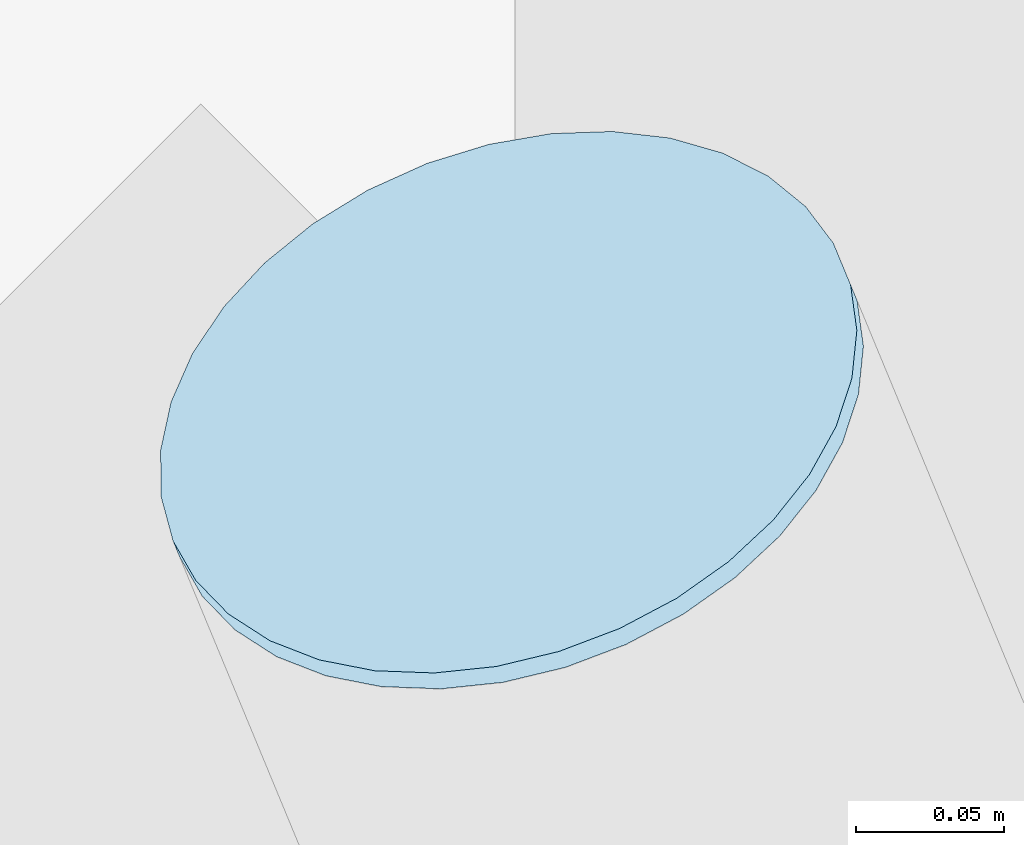
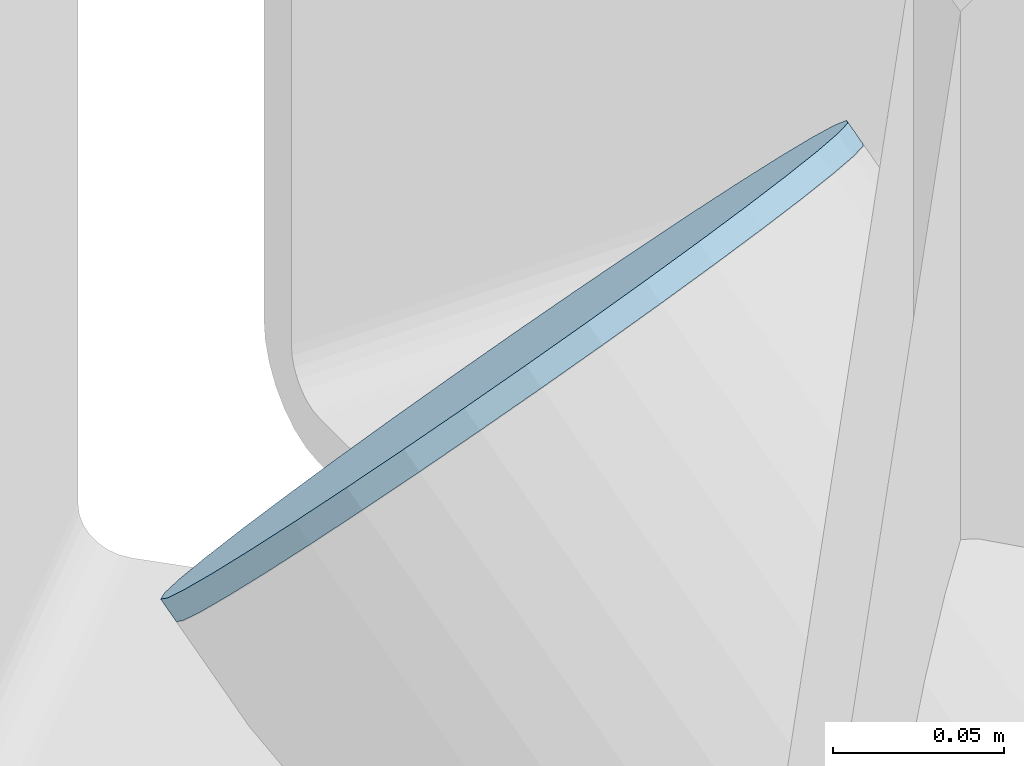
# One storey, part 34 of 56: 1 plate.
"""IFC4 building model written with IfcOpenShell, lengths in metres."""

from ifc_helpers import new_model, si_unit, direction, frame, origin, origin_2d, place, context, subcontext, project, spatial, circle, extrude, material, material_profile, profile_set, type_object, element, save


model = new_model("IFC4")

# Units and contexts
model_context = context("Model", 3, precision=1e-05, world=origin(), true_north=direction((0.0, 1.0)))
body_context = subcontext(model_context, "Body", "Model", "MODEL_VIEW")
ifc_project = project(units=[si_unit("LENGTHUNIT", "METRE"), si_unit("AREAUNIT", "SQUARE_METRE"), si_unit("VOLUMEUNIT", "CUBIC_METRE"), si_unit("PLANEANGLEUNIT", "RADIAN"), si_unit("MASSUNIT", "GRAM", prefix="KILO")], contexts=[model_context])

# Site, building, storey
site_placement = place(None, origin())
site = spatial("IfcSite", under=ifc_project, at=site_placement, CompositionType="ELEMENT")
building_placement = place(site_placement, origin())
building = spatial("IfcBuilding", under=site, at=building_placement, Name="Magnolia Steps Interchange", CompositionType="ELEMENT")
storey_placement = place(building_placement, frame((0.0, 0.0, 8.699951171875)))
storey = spatial("IfcBuildingStorey", under=building, at=storey_placement, Name="L02", CompositionType="ELEMENT", Elevation=8.699951171875)

# Plate
ifc_material = material(Name="Steel Q355B", Category="steel")
ifc_material_profile = material_profile(ifc_material, circle(Radius=0.12255859375, at=origin_2d()), Name="End plate CHS245x12")
ifc_profile_set = profile_set([ifc_material_profile], Name="Steel Q355B")
plate_type = type_object("IfcPlateType", Name="End plate CHS245x12", PredefinedType="SHEET", material=ifc_profile_set)
plate_placement = place(storey_placement, frame((73.731201171875, 44.97998046875, 1.298828125), z_axis=(-0.275279424158, 0.664583318381, 0.694658370398), x_axis=(-0.923879532336, -0.382683432789, 0.0)))
element("IfcPlate", 1, at=plate_placement, inside=storey, type_object=plate_type, Name="End plate Tree rib", PredefinedType="SHEET", context=body_context, shape_type="SweptSolid", body=[
    extrude(circle(Radius=0.12255859375, at=origin_2d()), origin(), (0.0, 0.0, 1.0), 0.008056640625),
])

save(model, "model.ifc")
